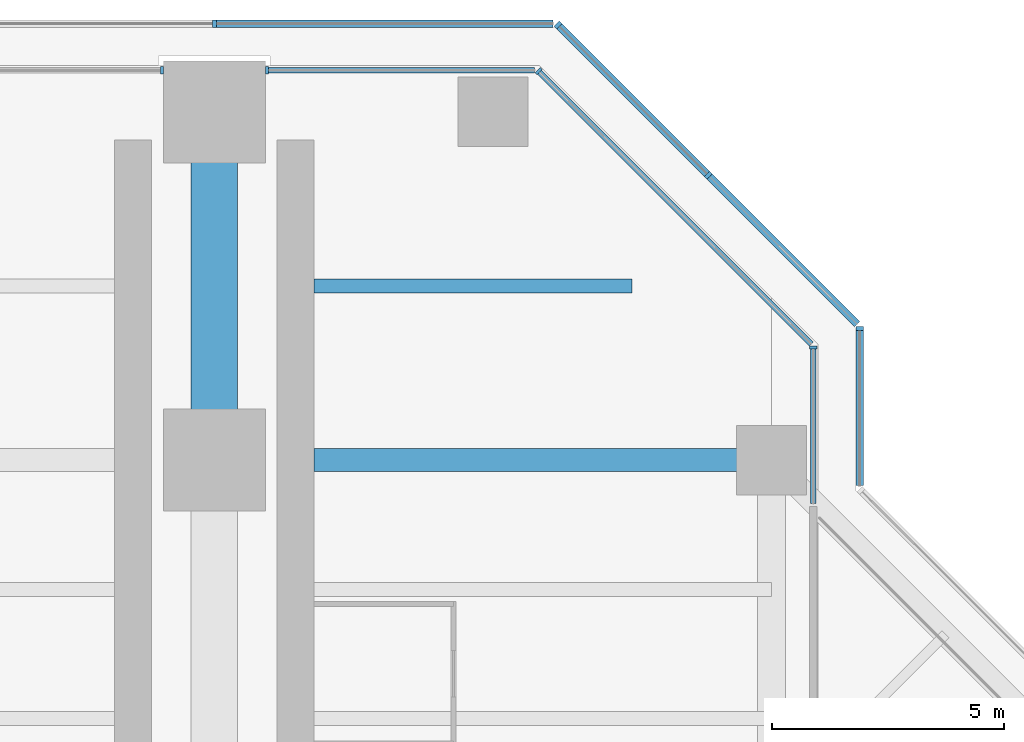
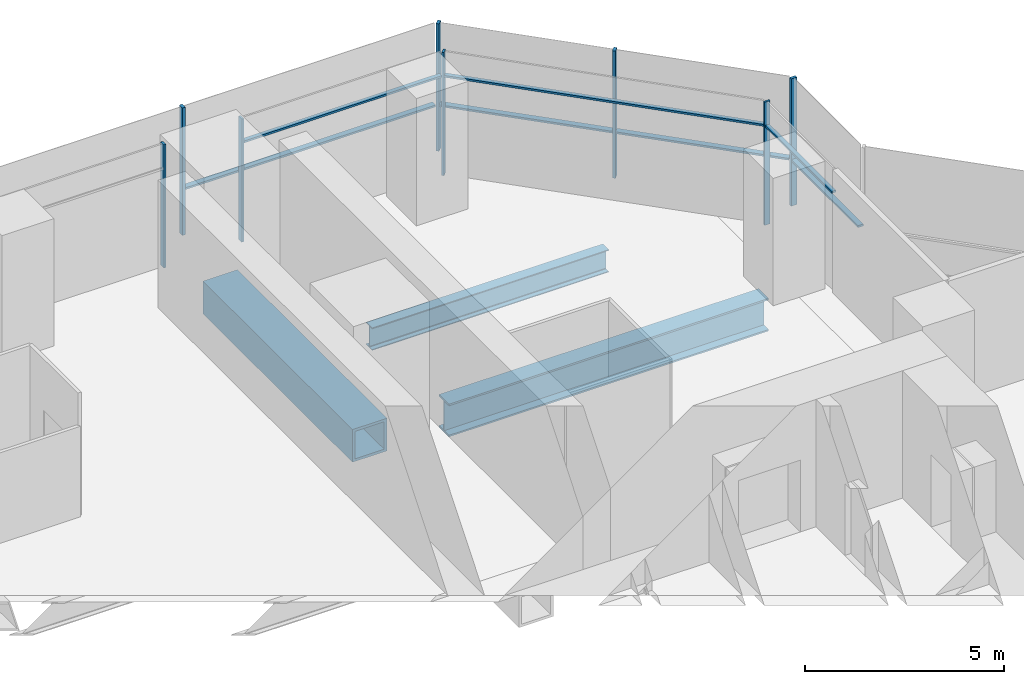
# One storey, part 10 of 19: 15 members, 3 beams, 7 elements without a shape of their own.
"""IFC4 building model written with IfcOpenShell, lengths in metres."""

import ifcopenshell
import ifcopenshell.guid

model = None  # the IFC model being written
_history = None  # IfcOwnerHistory: only IFC2X3 demands one
_inside = {}  # id of a spatial element -> (the spatial element, [elements in it])
_under = {}  # id of a project, library or spatial element -> (it, [spatial elements below it])
_declared = {}  # id of a project -> (the project, [libraries it declares])
_typed = {}  # id of a type object -> (the type object, [elements of that type])
_made_of = {}  # id of a material, layer set ... -> (it, [elements and type objects made of it])


def new_model(schema):
    """Start an empty IFC model of exactly this schema.

    Asked for "IFC4X3", IfcOpenShell would pick the latest addendum, in which some entities
    have other attributes; the version numbers below select the first issue.
    IFC2X3 requires an IfcOwnerHistory on every rooted entity: one is made here for all.
    """
    global model, _history
    if schema == "IFC4X3":
        model = ifcopenshell.file(schema_version=(4, 3, 0, 0))
    else:
        model = ifcopenshell.file(schema=schema)
    _inside.clear()
    _under.clear()
    _declared.clear()
    _typed.clear()
    _made_of.clear()
    _history = None
    if model.schema == "IFC2X3":
        org = make("IfcOrganization", Name="unknown")
        user = make(
            "IfcPersonAndOrganization",
            ThePerson=make("IfcPerson", FamilyName="unknown"),
            TheOrganization=org,
        )
        app = make(
            "IfcApplication",
            ApplicationDeveloper=org,
            Version="unknown",
            ApplicationFullName="unknown",
            ApplicationIdentifier="unknown",
        )
        _history = make(
            "IfcOwnerHistory",
            OwningUser=user,
            OwningApplication=app,
            ChangeAction="ADDED",
            CreationDate=0,
        )
    return model


def make(cls, **values):
    """One entity of the class cls with the attributes given. An attribute that is None is left unset."""
    return model.create_entity(
        cls, **{name: value for name, value in values.items() if value is not None}
    )


def rooted(cls, **values):
    """An entity with a GlobalId (a new one), such as an element, a storey or a relation."""
    return make(cls, GlobalId=ifcopenshell.guid.new(), OwnerHistory=_history, **values)


def si_unit(unit_type, name, prefix=None):
    """IfcSIUnit, for example si_unit("LENGTHUNIT", "METRE", prefix="MILLI")."""
    return make("IfcSIUnit", UnitType=unit_type, Prefix=prefix, Name=name)


def assignment(units):
    """IfcUnitAssignment: the units of a project."""
    return None if units is None else make("IfcUnitAssignment", Units=units)


def point(xyz):
    """IfcCartesianPoint."""
    return None if xyz is None else make("IfcCartesianPoint", Coordinates=xyz)


def direction(xyz):
    """IfcDirection."""
    return None if xyz is None else make("IfcDirection", DirectionRatios=xyz)


def frame(location, z_axis=None, x_axis=None):
    """IfcAxis2Placement3D, a coordinate frame: its origin and axes. An axis left out is left unset."""
    return make(
        "IfcAxis2Placement3D",
        Location=point(location),
        Axis=direction(z_axis),
        RefDirection=direction(x_axis),
    )


def frame_2d(location, x_axis=None):
    """IfcAxis2Placement2D, a coordinate frame in the plane: its origin and x axis."""
    return make(
        "IfcAxis2Placement2D", Location=point(location), RefDirection=direction(x_axis)
    )


def origin():
    """The frame at (0, 0, 0) with its axes left unset."""
    return frame((0.0, 0.0, 0.0))


def origin_2d():
    """The frame at (0, 0) in the plane with its x axis left unset."""
    return frame_2d((0.0, 0.0))


def place(relative_to, where):
    """IfcLocalPlacement: puts the frame where relative to a parent placement (None: the world)."""
    return make(
        "IfcLocalPlacement", PlacementRelTo=relative_to, RelativePlacement=where
    )


def context(
    kind, dimensions, precision=None, world=None, true_north=None, identifier=None
):
    """IfcGeometricRepresentationContext, for example the 3D "Model" context."""
    return make(
        "IfcGeometricRepresentationContext",
        ContextIdentifier=identifier,
        ContextType=kind,
        CoordinateSpaceDimension=dimensions,
        Precision=precision,
        WorldCoordinateSystem=world,
        TrueNorth=true_north,
    )


def subcontext(parent, identifier, kind, view, scale=None):
    """IfcGeometricRepresentationSubContext, for example "Body" below "Model"."""
    return make(
        "IfcGeometricRepresentationSubContext",
        ContextIdentifier=identifier,
        ContextType=kind,
        ParentContext=parent,
        TargetScale=scale,
        TargetView=view,
    )


def project(units=None, contexts=None):
    """IfcProject with its units and contexts."""
    return rooted(
        "IfcProject",
        Name="project",
        RepresentationContexts=contexts,
        UnitsInContext=assignment(units),
    )


def spatial(cls, under=None, at=None, **own):
    """A site, building, storey or space (cls), placed at a placement, below another one or the project."""
    s = rooted(cls, ObjectPlacement=at, **own)
    if under is not None:
        _under.setdefault(under.id(), (under, []))[1].append(s)
    return s


def profile(cls, at=None, kind="AREA", **sizes):
    """A parametric profile (cls). Its sizes go by their IFC names, for example OverallWidth=200.0."""
    return make(cls, ProfileType=kind, Position=at, **sizes)


def rectangle(**sizes):
    """IfcRectangleProfileDef."""
    return profile("IfcRectangleProfileDef", **sizes)


def hollow_rectangle(**sizes):
    """IfcRectangleHollowProfileDef."""
    return profile("IfcRectangleHollowProfileDef", **sizes)


def i_section(**sizes):
    """IfcIShapeProfileDef."""
    return profile("IfcIShapeProfileDef", **sizes)


def extrude(swept, where, along, depth):
    """IfcExtrudedAreaSolid: the profile swept, set in the frame where, extruded along a direction by depth."""
    return make(
        "IfcExtrudedAreaSolid",
        SweptArea=swept,
        Position=where,
        ExtrudedDirection=direction(along),
        Depth=depth,
    )


def shape(context_of_items, identifier, shape_type, items):
    """IfcShapeRepresentation: the items that make up one representation, for example the "Body"."""
    return make(
        "IfcShapeRepresentation",
        ContextOfItems=context_of_items,
        RepresentationIdentifier=identifier,
        RepresentationType=shape_type,
        Items=items,
    )


def material(Name=None, Category=None):
    """IfcMaterial."""
    return make("IfcMaterial", Name=Name, Category=Category)


def material_profile(
    of_material, cross_section, Name=None, Category=None, Priority=None
):
    """IfcMaterialProfile: a cross section and its material."""
    return make(
        "IfcMaterialProfile",
        Name=Name,
        Material=of_material,
        Profile=cross_section,
        Priority=Priority,
        Category=Category,
    )


def profile_set(profiles, Name=None, composite=None):
    """IfcMaterialProfileSet."""
    return make(
        "IfcMaterialProfileSet",
        Name=Name,
        MaterialProfiles=profiles,
        CompositeProfile=composite,
    )


def made_of(thing, what):
    """Note that an element or type object is made of a material, layer set ...; save() writes the relation."""
    if what is not None:
        _made_of.setdefault(what.id(), (what, []))[1].append(thing)
    return thing


def type_object(cls, material=None, **own):
    """A type object (cls), such as IfcWallType, which elements share."""
    return made_of(rooted(cls, **own), material)


def element(
    cls,
    number,
    at=None,
    inside=None,
    cuts=None,
    type_object=None,
    material=None,
    context=None,
    identifier="Body",
    shape_type=None,
    held_by="IfcProductDefinitionShape",
    body=None,
    shapes=None,
    **own,
):
    """One element of the class cls, such as IfcWall. Its Tag is "e" and its number.

    at: its placement. inside: the storey or other place that contains it. cuts: it is an
    opening in that element (IfcRelVoidsElement). A single representation is given by context,
    identifier, shape_type and body (its items); several are given by shapes. held_by: the class
    of the entity that holds the representations. save() writes the other relations.
    """
    e = rooted(cls, Tag="e%d" % number, ObjectPlacement=at, **own)
    if body is not None:
        shapes = [shape(context, identifier, shape_type, body)]
    if shapes is not None:
        e.Representation = make(held_by, Representations=shapes)
    if inside is not None:
        _inside.setdefault(inside.id(), (inside, []))[1].append(e)
    if cuts is not None:
        rooted(
            "IfcRelVoidsElement", RelatingBuildingElement=cuts, RelatedOpeningElement=e
        )
    if type_object is not None:
        _typed.setdefault(type_object.id(), (type_object, []))[1].append(e)
    return made_of(e, material)


def aggregate(whole, parts):
    """IfcRelAggregates: a whole, such as a stair, and the parts it consists of."""
    return rooted("IfcRelAggregates", RelatingObject=whole, RelatedObjects=parts)


def save(model, path):
    """Write the relations noted so far, then the file.

    IfcRelAggregates (storeys below a building ...), IfcRelContainedInSpatialStructure (elements
    in a storey), IfcRelDefinesByType, IfcRelAssociatesMaterial and IfcRelDeclares: one each for
    every whole, place, type object, material and project.
    """
    for whole, parts in _under.values():
        aggregate(whole, parts)
    for where, things in _inside.values():
        rooted(
            "IfcRelContainedInSpatialStructure",
            RelatedElements=things,
            RelatingStructure=where,
        )
    for kind, things in _typed.values():
        rooted("IfcRelDefinesByType", RelatedObjects=things, RelatingType=kind)
    for what, things in _made_of.values():
        rooted("IfcRelAssociatesMaterial", RelatedObjects=things, RelatingMaterial=what)
    for by, libraries in _declared.values():
        rooted("IfcRelDeclares", RelatingContext=by, RelatedDefinitions=libraries)
    model.write(path)


model = new_model("IFC4")

# Units and contexts
model_context = context("Model", 3, precision=1e-05, world=origin(), true_north=direction((0.0, 1.0)))
body_context = subcontext(model_context, "Body", "Model", "MODEL_VIEW")
ifc_project = project(units=[si_unit("LENGTHUNIT", "METRE"), si_unit("AREAUNIT", "SQUARE_METRE"), si_unit("VOLUMEUNIT", "CUBIC_METRE"), si_unit("PLANEANGLEUNIT", "RADIAN"), si_unit("MASSUNIT", "GRAM", prefix="KILO")], contexts=[model_context])

# Site, building, storey
site_placement = place(None, origin())
site = spatial("IfcSite", under=ifc_project, at=site_placement, CompositionType="ELEMENT")
building_placement = place(site_placement, origin())
building = spatial("IfcBuilding", under=site, at=building_placement, Name="Mizan Broadcast Tower", CompositionType="ELEMENT")
storey_placement = place(building_placement, frame((0.0, 0.0, 204.89990234375)))
storey = spatial("IfcBuildingStorey", under=building, at=storey_placement, Name="L47", CompositionType="ELEMENT", Elevation=204.89990234375)

# Beam
ifc_material_1 = material(Name="Steel S460", Category="steel")
ifc_material_profile_1 = material_profile(ifc_material_1, i_section(OverallWidth=0.5, OverallDepth=1.0, WebThickness=0.02490234375, FlangeThickness=0.050048828125, at=origin_2d()), Name="WPG 1000x500")
ifc_profile_set_1 = profile_set([ifc_material_profile_1], Name="Steel S460")
beam_type_1 = type_object("IfcBeamType", Name="GIRDER WPG 1000x500", PredefinedType="BEAM", material=ifc_profile_set_1)
beam_1_placement = place(storey_placement, frame((11.408935546875, 19.5, -0.6298828125), z_axis=(-1.0, 0.0, 0.0), x_axis=(0.0, -1.0, 0.0)))
element("IfcBeam", 1, at=beam_1_placement, inside=storey, type_object=beam_type_1, Name="Girder WPG 1000x500 L47 north arm", PredefinedType="BEAM", context=body_context, shape_type="SweptSolid", body=[
    extrude(i_section(OverallWidth=0.5, OverallDepth=1.0, WebThickness=0.02490234375, FlangeThickness=0.050048828125, at=origin_2d()), origin(), (0.0, 0.0, 1.0), 9.259033203125),
])

# Curtain wall, member
ifc_material_2 = material(Name="Aluminium framed glazing", Category="aluminium")
curtain_wall_type_1 = type_object("IfcCurtainWallType", Name="INNER SKIN HIGH ZONE", PredefinedType="USERDEFINED", material=ifc_material_2)
curtain_wall_1_placement = place(storey_placement, origin())
curtain_wall_1 = element("IfcCurtainWall", 2, at=curtain_wall_1_placement, inside=storey, type_object=curtain_wall_type_1, Name="Inner skin high zone L47 N side", ObjectType="INNER SKIN HIGH ZONE", PredefinedType="USERDEFINED")
ifc_material_3 = material(Name="Aluminium, pale anodised", Category="aluminium")
ifc_material_profile_2 = material_profile(ifc_material_3, rectangle(XDim=0.159912109375, YDim=0.06005859375, at=origin_2d()), Name="MULLION 160x60")
ifc_profile_set_2 = profile_set([ifc_material_profile_2], Name="Aluminium, pale anodised")
member_type_1 = type_object("IfcMemberType", Name="INNER SKIN MULLION 60x160", PredefinedType="MULLION", material=ifc_profile_set_2)
member_1_placement = place(storey_placement, frame((12.89990234375, 21.928466796875, 0.0), z_axis=(0.0, 0.0, 1.0), x_axis=(-1.0, 0.0, 0.0)))
member_1 = element("IfcMember", 3, at=member_1_placement, type_object=member_type_1, Name="Inner skin high zone L47 N side mullion 2", PredefinedType="MULLION", context=body_context, shape_type="SweptSolid", body=[
    extrude(rectangle(XDim=0.159912109375, YDim=0.06005859375, at=origin_2d()), origin(), (0.0, 0.0, 1.0), 3.77001953125),
])

curtain_wall_2_placement = place(storey_placement, origin())
curtain_wall_2 = element("IfcCurtainWall", 4, at=curtain_wall_2_placement, inside=storey, type_object=curtain_wall_type_1, Name="Inner skin high zone L47 N chamfer", ObjectType="INNER SKIN HIGH ZONE", PredefinedType="USERDEFINED")
member_2_placement = place(storey_placement, frame((6.979736328125, 27.87890625, 0.0), z_axis=(0.0, 0.0, 1.0), x_axis=(-0.707106781187, -0.707106781187, 0.0)))
member_2 = element("IfcMember", 5, at=member_2_placement, type_object=member_type_1, Name="Inner skin high zone L47 N chamfer mullion 2", PredefinedType="MULLION", context=body_context, shape_type="SweptSolid", body=[
    extrude(rectangle(XDim=0.159912109375, YDim=0.06005859375, at=origin_2d()), origin(), (0.0, 0.0, 1.0), 3.77001953125),
])

curtain_wall_3_placement = place(storey_placement, origin())
curtain_wall_3 = element("IfcCurtainWall", 6, at=curtain_wall_3_placement, inside=storey, type_object=curtain_wall_type_1, Name="Inner skin high zone L47 N end", ObjectType="INNER SKIN HIGH ZONE", PredefinedType="USERDEFINED")
member_3_placement = place(storey_placement, frame((1.1298828125, 27.89990234375, 0.0), z_axis=(0.0, 0.0, 1.0), x_axis=(0.0, -1.0, 0.0)))
member_3 = element("IfcMember", 7, at=member_3_placement, type_object=member_type_1, Name="Inner skin high zone L47 N end mullion 2", PredefinedType="MULLION", context=body_context, shape_type="SweptSolid", body=[
    extrude(rectangle(XDim=0.159912109375, YDim=0.06005859375, at=origin_2d()), origin(), (0.0, 0.0, 1.0), 3.77001953125),
])

curtain_wall_4_placement = place(storey_placement, origin())
curtain_wall_4 = element("IfcCurtainWall", 8, at=curtain_wall_4_placement, inside=storey, type_object=curtain_wall_type_1, Name="Inner skin high zone L47 N end", ObjectType="INNER SKIN HIGH ZONE", PredefinedType="USERDEFINED")
member_4_placement = place(storey_placement, frame((-1.1298828125, 27.89990234375, 0.0), z_axis=(0.0, 0.0, 1.0), x_axis=(0.0, -1.0, 0.0)))
member_4 = element("IfcMember", 9, at=member_4_placement, type_object=member_type_1, Name="Inner skin high zone L47 N end mullion 1", PredefinedType="MULLION", context=body_context, shape_type="SweptSolid", body=[
    extrude(rectangle(XDim=0.159912109375, YDim=0.06005859375, at=origin_2d()), origin(), (0.0, 0.0, 1.0), 3.77001953125),
])
aggregate(curtain_wall_4, [member_4])

# Member
ifc_material_4 = material(Name="Aluminium, pale anodised", Category="aluminium")
ifc_material_profile_3 = material_profile(ifc_material_4, rectangle(XDim=0.1201171875, YDim=0.06005859375, at=origin_2d()), Name="TRANSOM 120x60")
ifc_profile_set_3 = profile_set([ifc_material_profile_3], Name="Aluminium, pale anodised")
member_type_2 = type_object("IfcMemberType", Name="INNER SKIN TRANSOM 60x120", PredefinedType="USERDEFINED", material=ifc_profile_set_3)
member_5_placement = place(storey_placement, frame((12.89990234375, 18.56005859375, 3.030029296875), z_axis=(0.0, 1.0, 0.0), x_axis=(-1.0, 0.0, 0.0)))
member_5 = element("IfcMember", 10, at=member_5_placement, type_object=member_type_2, Name="Inner skin high zone L47 N side transom 1.1", ObjectType="TRANSOM", PredefinedType="USERDEFINED", context=body_context, shape_type="SweptSolid", body=[
    extrude(rectangle(XDim=0.1201171875, YDim=0.06005859375, at=origin_2d()), origin(), (0.0, 0.0, 1.0), 3.338623046875),
])

aggregate(curtain_wall_1, [member_1, member_5])

member_6_placement = place(storey_placement, frame((12.857666015625, 22.0009765625, 3.030029296875), z_axis=(-0.707106781187, 0.707106781187, 0.0), x_axis=(-0.707106781187, -0.707106781187, 0.0)))
member_6 = element("IfcMember", 11, at=member_6_placement, type_object=member_type_2, Name="Inner skin high zone L47 N chamfer transom 1.1", ObjectType="TRANSOM", PredefinedType="USERDEFINED", context=body_context, shape_type="SweptSolid", body=[
    extrude(rectangle(XDim=0.1201171875, YDim=0.06005859375, at=origin_2d()), origin(), (0.0, 0.0, 1.0), 8.28271484375),
])

aggregate(curtain_wall_2, [member_2, member_6])

member_7_placement = place(storey_placement, frame((6.898681640625, 27.89990234375, 3.030029296875), z_axis=(-1.0, 0.0, 0.0), x_axis=(0.0, -1.0, 0.0)))
member_7 = element("IfcMember", 12, at=member_7_placement, type_object=member_type_2, Name="Inner skin high zone L47 N end transom 1.1", ObjectType="TRANSOM", PredefinedType="USERDEFINED", context=body_context, shape_type="SweptSolid", body=[
    extrude(rectangle(XDim=0.1201171875, YDim=0.06005859375, at=origin_2d()), origin(), (0.0, 0.0, 1.0), 5.73876953125),
])

aggregate(curtain_wall_3, [member_3, member_7])

# Curtain wall, member
ifc_material_5 = material(Name="Aluminium framed glazing", Category="aluminium")
curtain_wall_type_2 = type_object("IfcCurtainWallType", Name="OUTER SKIN", PredefinedType="USERDEFINED", material=ifc_material_5)
curtain_wall_5_placement = place(storey_placement, origin())
curtain_wall_5 = element("IfcCurtainWall", 13, at=curtain_wall_5_placement, inside=storey, type_object=curtain_wall_type_2, Name="Outer skin L47 N side", ObjectType="OUTER SKIN", PredefinedType="USERDEFINED")
ifc_material_6 = material(Name="Aluminium, pale anodised", Category="aluminium")
ifc_material_profile_4 = material_profile(ifc_material_6, rectangle(XDim=0.159912109375, YDim=0.080078125, at=origin_2d()), Name="MULLION 160x80")
ifc_profile_set_4 = profile_set([ifc_material_profile_4], Name="Aluminium, pale anodised")
member_type_3 = type_object("IfcMemberType", Name="OUTER SKIN MULLION 80x160", PredefinedType="MULLION", material=ifc_profile_set_4)
member_8_placement = place(storey_placement, frame((13.89990234375, 22.332763671875, 0.0), z_axis=(0.0, 0.0, 1.0), x_axis=(-1.0, 0.0, 0.0)))
member_8 = element("IfcMember", 14, at=member_8_placement, type_object=member_type_3, Name="Outer skin L47 N side mullion 2", PredefinedType="MULLION", context=body_context, shape_type="SweptSolid", body=[
    extrude(rectangle(XDim=0.159912109375, YDim=0.080078125, at=origin_2d()), origin(), (0.0, 0.0, 1.0), 3.900146484375),
])

# Curtain wall, members
curtain_wall_6_placement = place(storey_placement, origin())
curtain_wall_6 = element("IfcCurtainWall", 15, at=curtain_wall_6_placement, inside=storey, type_object=curtain_wall_type_2, Name="Outer skin L47 N chamfer", ObjectType="OUTER SKIN", PredefinedType="USERDEFINED")
member_9_placement = place(storey_placement, frame((10.636474609375, 25.636474609375, 0.0), z_axis=(0.0, 0.0, 1.0), x_axis=(-0.707106781187, -0.707106781187, 0.0)))
member_9 = element("IfcMember", 16, at=member_9_placement, type_object=member_type_3, Name="Outer skin L47 N chamfer mullion 2", PredefinedType="MULLION", context=body_context, shape_type="SweptSolid", body=[
    extrude(rectangle(XDim=0.159912109375, YDim=0.080078125, at=origin_2d()), origin(), (0.0, 0.0, 1.0), 3.900146484375),
])
member_10_placement = place(storey_placement, frame((7.401123046875, 28.871826171875, 0.0), z_axis=(0.0, 0.0, 1.0), x_axis=(-0.707106781187, -0.707106781187, 0.0)))
member_10 = element("IfcMember", 17, at=member_10_placement, type_object=member_type_3, Name="Outer skin L47 N chamfer mullion 3", PredefinedType="MULLION", context=body_context, shape_type="SweptSolid", body=[
    extrude(rectangle(XDim=0.159912109375, YDim=0.080078125, at=origin_2d()), origin(), (0.0, 0.0, 1.0), 3.900146484375),
])

# Curtain wall, member
curtain_wall_7_placement = place(storey_placement, origin())
curtain_wall_7 = element("IfcCurtainWall", 18, at=curtain_wall_7_placement, inside=storey, type_object=curtain_wall_type_2, Name="Outer skin L47 N end", ObjectType="OUTER SKIN", PredefinedType="USERDEFINED")
member_11_placement = place(storey_placement, frame((0.0, 28.89990234375, 0.0), z_axis=(0.0, 0.0, 1.0), x_axis=(0.0, -1.0, 0.0)))
member_11 = element("IfcMember", 19, at=member_11_placement, type_object=member_type_3, Name="Outer skin L47 N end mullion 2", PredefinedType="MULLION", context=body_context, shape_type="SweptSolid", body=[
    extrude(rectangle(XDim=0.159912109375, YDim=0.080078125, at=origin_2d()), origin(), (0.0, 0.0, 1.0), 3.900146484375),
])

# Member
ifc_material_7 = material(Name="Aluminium, pale anodised", Category="aluminium")
ifc_material_profile_5 = material_profile(ifc_material_7, rectangle(XDim=0.159912109375, YDim=0.06005859375, at=origin_2d()), Name="TRANSOM 160x60")
ifc_profile_set_5 = profile_set([ifc_material_profile_5], Name="Aluminium, pale anodised")
member_type_4 = type_object("IfcMemberType", Name="OUTER SKIN TRANSOM 60x160", PredefinedType="USERDEFINED", material=ifc_profile_set_5)
member_12_placement = place(storey_placement, frame((13.89990234375, 18.952880859375, 1.400146484375), z_axis=(0.0, 1.0, 0.0), x_axis=(-1.0, 0.0, 0.0)))
member_12 = element("IfcMember", 20, at=member_12_placement, type_object=member_type_4, Name="Outer skin L47 N side transom 1.1", ObjectType="TRANSOM", PredefinedType="USERDEFINED", context=body_context, shape_type="SweptSolid", body=[
    extrude(rectangle(XDim=0.159912109375, YDim=0.06005859375, at=origin_2d()), origin(), (0.0, 0.0, 1.0), 3.33984375),
])

aggregate(curtain_wall_5, [member_8, member_12])

member_13_placement = place(storey_placement, frame((13.843505859375, 22.429443359375, 1.400146484375), z_axis=(-0.707106781187, 0.707106781187, 0.0), x_axis=(-0.707106781187, -0.707106781187, 0.0)))
member_13 = element("IfcMember", 21, at=member_13_placement, type_object=member_type_4, Name="Outer skin L47 N chamfer transom 1.1", ObjectType="TRANSOM", PredefinedType="USERDEFINED", context=body_context, shape_type="SweptSolid", body=[
    extrude(rectangle(XDim=0.159912109375, YDim=0.06005859375, at=origin_2d()), origin(), (0.0, 0.0, 1.0), 4.495361328125),
])

member_14_placement = place(storey_placement, frame((10.608154296875, 25.664794921875, 1.400146484375), z_axis=(-0.707106781187, 0.707106781187, 0.0), x_axis=(-0.707106781187, -0.707106781187, 0.0)))
member_14 = element("IfcMember", 22, at=member_14_placement, type_object=member_type_4, Name="Outer skin L47 N chamfer transom 2.1", ObjectType="TRANSOM", PredefinedType="USERDEFINED", context=body_context, shape_type="SweptSolid", body=[
    extrude(rectangle(XDim=0.159912109375, YDim=0.06005859375, at=origin_2d()), origin(), (0.0, 0.0, 1.0), 4.495361328125),
])

aggregate(curtain_wall_6, [member_9, member_10, member_13, member_14])

member_15_placement = place(storey_placement, frame((7.292724609375, 28.89990234375, 1.400146484375), z_axis=(-1.0, 0.0, 0.0), x_axis=(0.0, -1.0, 0.0)))
member_15 = element("IfcMember", 23, at=member_15_placement, type_object=member_type_4, Name="Outer skin L47 N end transom 1.1", ObjectType="TRANSOM", PredefinedType="USERDEFINED", context=body_context, shape_type="SweptSolid", body=[
    extrude(rectangle(XDim=0.159912109375, YDim=0.06005859375, at=origin_2d()), origin(), (0.0, 0.0, 1.0), 7.252685546875),
])

aggregate(curtain_wall_7, [member_11, member_15])

# Beams
ifc_material_8 = material(Name="Steel S460", Category="steel")
ifc_material_profile_6 = material_profile(ifc_material_8, hollow_rectangle(XDim=1.0, YDim=1.0, WallThickness=0.080078125, at=origin_2d()), Name="BOX 1000x1000x80")
ifc_profile_set_6 = profile_set([ifc_material_profile_6], Name="Steel S460")
beam_type_2 = type_object("IfcBeamType", Name="OUTRIGGER TRUSS OT3 CHORD BOX 1000x1000x80", PredefinedType="BEAM", material=ifc_profile_set_6)
beam_2_placement = place(storey_placement, frame((0.0, 19.5, -0.6298828125), z_axis=(0.0, 1.0, 0.0), x_axis=(-1.0, 0.0, 0.0)))
element("IfcBeam", 24, at=beam_2_placement, inside=storey, type_object=beam_type_2, Name="Outrigger truss OT3-N top chord 2", PredefinedType="BEAM", context=body_context, shape_type="SweptSolid", body=[
    extrude(hollow_rectangle(XDim=1.0, YDim=1.0, WallThickness=0.080078125, at=origin_2d()), origin(), (0.0, 0.0, 1.0), 7.5),
])
ifc_material_9 = material(Name="Steel S355", Category="steel")
ifc_material_profile_7 = material_profile(ifc_material_9, i_section(OverallWidth=0.300048828125, OverallDepth=0.68994140625, WebThickness=0.014404296875, FlangeThickness=0.027099609375, FilletRadius=0.027099609375, at=origin_2d()), Name="HEA 700")
ifc_profile_set_7 = profile_set([ifc_material_profile_7], Name="Steel S355")
beam_type_3 = type_object("IfcBeamType", Name="SECONDARY BEAM HEA 700", PredefinedType="JOIST", material=ifc_profile_set_7)
beam_3_placement = place(storey_placement, frame((9.0, 23.25, -0.474853515625), z_axis=(-1.0, 0.0, 0.0), x_axis=(0.0, -1.0, 0.0)))
element("IfcBeam", 25, at=beam_3_placement, inside=storey, type_object=beam_type_3, Name="Secondary beam HEA 700 L47 north arm", PredefinedType="JOIST", context=body_context, shape_type="SweptSolid", body=[
    extrude(i_section(OverallWidth=0.300048828125, OverallDepth=0.68994140625, WebThickness=0.014404296875, FlangeThickness=0.027099609375, FilletRadius=0.027099609375, at=origin_2d()), origin(), (0.0, 0.0, 1.0), 6.85009765625),
])

save(model, "model.ifc")
